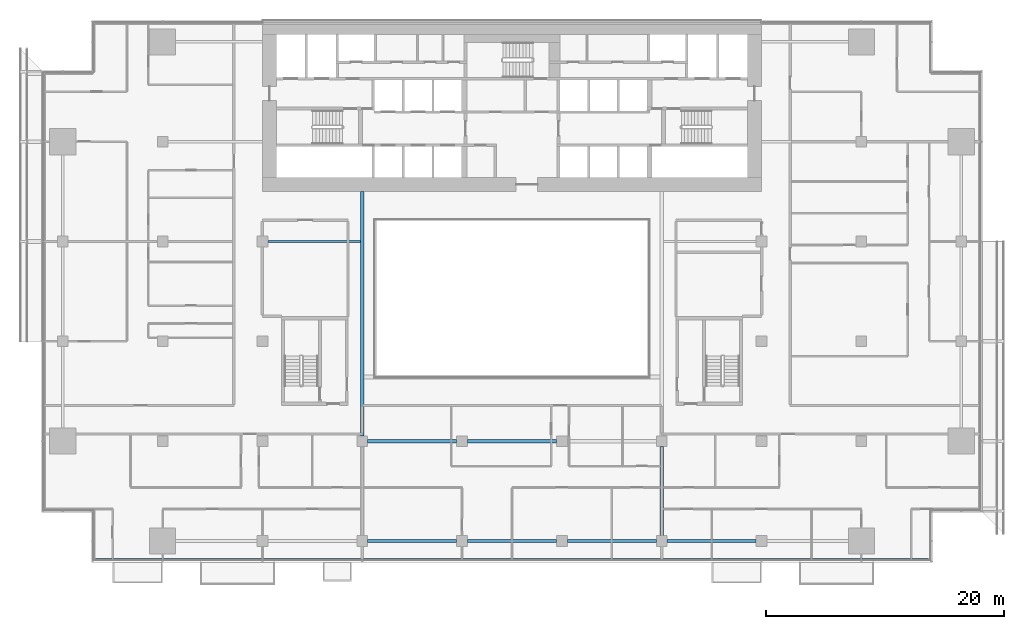
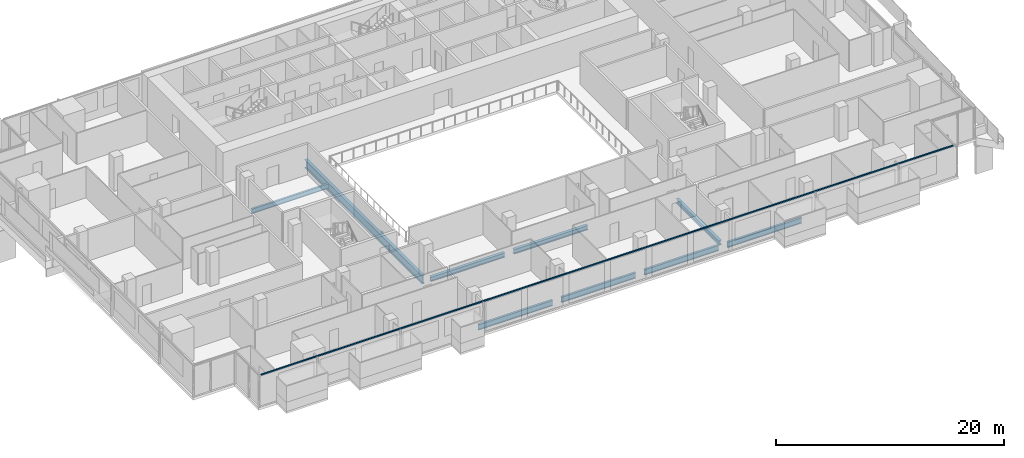
# One storey, part 5 of 28: 9 beams, 1 member, 1 element without a shape of its own.
"""IFC4 building model written with IfcOpenShell, lengths in metres."""

from ifc_helpers import new_model, si_unit, direction, frame, origin, origin_2d, place, context, subcontext, project, spatial, rectangle, i_section, extrude, material, material_profile, profile_set, type_object, element, aggregate, save


model = new_model("IFC4")

# Units and contexts
model_context = context("Model", 3, precision=1e-05, world=origin(), true_north=direction((0.0, 1.0)))
body_context = subcontext(model_context, "Body", "Model", "MODEL_VIEW")
ifc_project = project(units=[si_unit("LENGTHUNIT", "METRE"), si_unit("AREAUNIT", "SQUARE_METRE"), si_unit("VOLUMEUNIT", "CUBIC_METRE"), si_unit("PLANEANGLEUNIT", "RADIAN"), si_unit("MASSUNIT", "GRAM", prefix="KILO")], contexts=[model_context])

# Site, building, storey
site_placement = place(None, origin())
site = spatial("IfcSite", under=ifc_project, at=site_placement, CompositionType="ELEMENT")
building_placement = place(site_placement, origin())
building = spatial("IfcBuilding", under=site, at=building_placement, Name="Saffron Gate Tower", CompositionType="ELEMENT")
storey_placement = place(building_placement, frame((0.0, 0.0, 51.60009765625)))
storey = spatial("IfcBuildingStorey", under=building, at=storey_placement, Name="L11", CompositionType="ELEMENT", Elevation=51.60009765625)

# Beams
ifc_material_1 = material(Name="Structural steel S355", Category="steel")
ifc_material_profile_1 = material_profile(ifc_material_1, i_section(OverallWidth=0.199951171875, OverallDepth=0.5, WebThickness=0.01025390625, FlangeThickness=0.01611328125, FilletRadius=0.02099609375, at=origin_2d()))
ifc_profile_set_1 = profile_set([ifc_material_profile_1], Name="Structural steel S355")
beam_type_1 = type_object("IfcBeamType", Name="B10 IPE 500", PredefinedType="BEAM", material=ifc_profile_set_1)
beam_1_placement = place(storey_placement, frame((67.050048828125, 57.0, -0.530029296875), z_axis=(1.0, 0.0, 0.0), x_axis=(0.0, 1.0, 0.0)))
element("IfcBeam", 1, at=beam_1_placement, inside=storey, type_object=beam_type_1, Name="B10 CORE TIE BEAM", PredefinedType="BEAM", context=body_context, shape_type="SweptSolid", body=[
    extrude(i_section(OverallWidth=0.199951171875, OverallDepth=0.5, WebThickness=0.01025390625, FlangeThickness=0.01611328125, FilletRadius=0.02099609375, at=origin_2d()), origin(), (0.0, 0.0, 1.0), 7.800048828125),
])
ifc_material_profile_2 = material_profile(ifc_material_1, i_section(OverallWidth=0.219970703125, OverallDepth=0.60009765625, WebThickness=0.011962890625, FlangeThickness=0.01904296875, FilletRadius=0.02392578125, at=origin_2d()))
ifc_profile_set_2 = profile_set([ifc_material_profile_2], Name="Structural steel S355")
beam_type_2 = type_object("IfcBeamType", Name="B16 IPE 600", PredefinedType="SPANDREL", material=ifc_profile_set_2)
for number, where, z_axis, x_axis, name in (
    (2, (75.449951171875, 31.800048828125, -0.580078125), (1.0, 0.0, 0.0), (0.0, 1.0, 0.0), "B16 SPANDREL BEAM"),
    (3, (83.85009765625, 31.800048828125, -0.580078125), (1.0, 0.0, 0.0), (0.0, 1.0, 0.0), "B16 SPANDREL BEAM"),
    (4, (92.25, 31.800048828125, -0.580078125), (1.0, 0.0, 0.0), (0.0, 1.0, 0.0), "B16 SPANDREL BEAM"),
    (5, (100.64990234375, 31.800048828125, -0.580078125), (1.0, 0.0, 0.0), (0.0, 1.0, 0.0), "B16 SPANDREL BEAM"),
):
    element("IfcBeam", number, at=place(storey_placement, frame(where, z_axis=z_axis, x_axis=x_axis)), inside=storey, type_object=beam_type_2, Name=name, PredefinedType="SPANDREL", context=body_context, shape_type="SweptSolid", body=[
        extrude(i_section(OverallWidth=0.219970703125, OverallDepth=0.60009765625, WebThickness=0.011962890625, FlangeThickness=0.01904296875, FilletRadius=0.02392578125, at=origin_2d()), origin(), (0.0, 0.0, 1.0), 7.5),
    ])
ifc_material_profile_3 = material_profile(ifc_material_1, i_section(OverallWidth=0.300048828125, OverallDepth=0.889892578125, WebThickness=0.01611328125, FlangeThickness=0.030029296875, FilletRadius=0.030029296875, at=origin_2d()))
ifc_profile_set_3 = profile_set([ifc_material_profile_3], Name="Structural steel S355")
beam_type_3 = type_object("IfcBeamType", Name="B19 HEA 900", PredefinedType="BEAM", material=ifc_profile_set_3)
beam_2_placement = place(storey_placement, frame((75.0, 40.64990234375, -0.72509765625), z_axis=(0.0, 1.0, 0.0), x_axis=(-1.0, 0.0, 0.0)))
element("IfcBeam", 6, at=beam_2_placement, inside=storey, type_object=beam_type_3, Name="B19 ATRIUM GIRDER", PredefinedType="BEAM", context=body_context, shape_type="SweptSolid", body=[
    extrude(i_section(OverallWidth=0.300048828125, OverallDepth=0.889892578125, WebThickness=0.01611328125, FlangeThickness=0.030029296875, FilletRadius=0.030029296875, at=origin_2d()), origin(), (0.0, 0.0, 1.0), 20.550048828125),
])
ifc_material_profile_4 = material_profile(ifc_material_1, i_section(OverallWidth=0.300048828125, OverallDepth=0.489990234375, WebThickness=0.011962890625, FlangeThickness=0.02294921875, FilletRadius=0.027099609375, at=origin_2d()))
ifc_profile_set_4 = profile_set([ifc_material_profile_4], Name="Structural steel S355")
beam_type_4 = type_object("IfcBeamType", Name="B8 HEA 500", PredefinedType="BEAM", material=ifc_profile_set_4)
for number, where, z_axis, x_axis, name in (
    (7, (100.199951171875, 32.25, -0.525146484375), (0.0, 1.0, 0.0), (-1.0, 0.0, 0.0), "B8 FLOOR GIRDER"),
    (8, (75.449951171875, 40.199951171875, -0.525146484375), (1.0, 0.0, 0.0), (0.0, 1.0, 0.0), "B8 FLOOR GIRDER"),
    (9, (83.85009765625, 40.199951171875, -0.525146484375), (1.0, 0.0, 0.0), (0.0, 1.0, 0.0), "B8 FLOOR GIRDER"),
):
    element("IfcBeam", number, at=place(storey_placement, frame(where, z_axis=z_axis, x_axis=x_axis)), inside=storey, type_object=beam_type_4, Name=name, PredefinedType="BEAM", context=body_context, shape_type="SweptSolid", body=[
        extrude(i_section(OverallWidth=0.300048828125, OverallDepth=0.489990234375, WebThickness=0.011962890625, FlangeThickness=0.02294921875, FilletRadius=0.027099609375, at=origin_2d()), origin(), (0.0, 0.0, 1.0), 7.5),
    ])

# Curtain wall, member
ifc_material_2 = material(Name="Aluminium, bronze anodised", Category="aluminium")
curtain_wall_type = type_object("IfcCurtainWallType", Name="CWS1 curtain wall front facade", PredefinedType="NOTDEFINED", material=ifc_material_2)
curtain_wall_placement = place(storey_placement, origin())
curtain_wall = element("IfcCurtainWall", 10, at=curtain_wall_placement, inside=storey, type_object=curtain_wall_type, Name="CWS1 run 1", PredefinedType="NOTDEFINED")
ifc_material_profile_5 = material_profile(ifc_material_2, rectangle(XDim=0.1201171875, YDim=0.1201171875, at=origin_2d()))
ifc_profile_set_5 = profile_set([ifc_material_profile_5], Name="Aluminium, bronze anodised")
member_type = type_object("IfcMemberType", Name="CWS1 head transom", PredefinedType="USERDEFINED", material=ifc_profile_set_5)
member_placement = place(storey_placement, frame((52.568115234375, 30.248046875, 3.260009765625), z_axis=(1.0, 0.0, 0.0), x_axis=(0.0, 1.0, 0.0)))
member = element("IfcMember", 11, at=member_placement, type_object=member_type, Name="CWS1 head transom", ObjectType="TRANSOM", PredefinedType="USERDEFINED", context=body_context, shape_type="SweptSolid", body=[
    extrude(rectangle(XDim=0.1201171875, YDim=0.1201171875, at=origin_2d()), origin(), (0.0, 0.0, 1.0), 70.06396484375),
])
aggregate(curtain_wall, [member])

save(model, "model.ifc")
